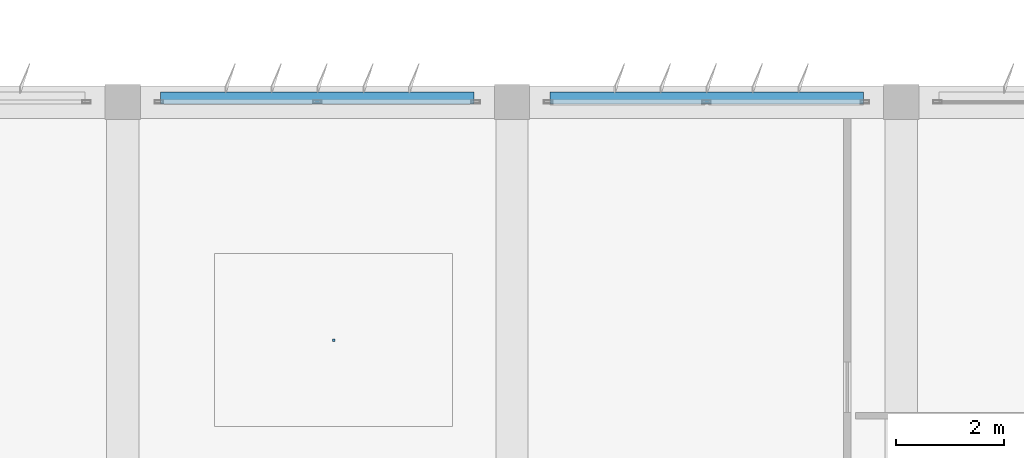
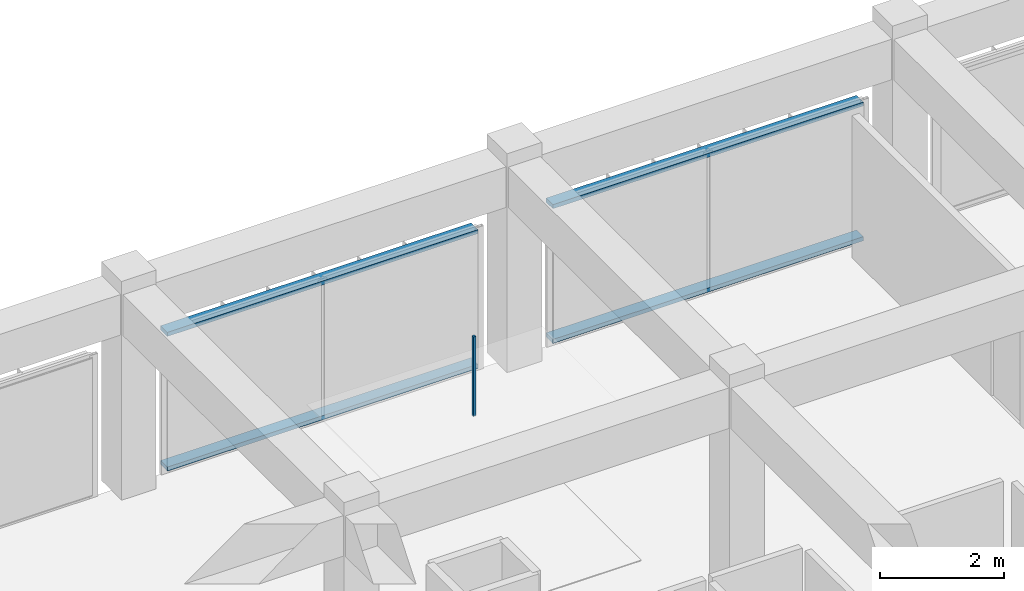
# One storey, part 42 of 53: 5 discrete accessories.
"""IFC4 building model written with IfcOpenShell, lengths in metres."""

import ifcopenshell
import ifcopenshell.guid

model = None  # the IFC model being written
_history = None  # IfcOwnerHistory: only IFC2X3 demands one
_inside = {}  # id of a spatial element -> (the spatial element, [elements in it])
_under = {}  # id of a project, library or spatial element -> (it, [spatial elements below it])
_declared = {}  # id of a project -> (the project, [libraries it declares])
_typed = {}  # id of a type object -> (the type object, [elements of that type])
_made_of = {}  # id of a material, layer set ... -> (it, [elements and type objects made of it])


def new_model(schema):
    """Start an empty IFC model of exactly this schema.

    Asked for "IFC4X3", IfcOpenShell would pick the latest addendum, in which some entities
    have other attributes; the version numbers below select the first issue.
    IFC2X3 requires an IfcOwnerHistory on every rooted entity: one is made here for all.
    """
    global model, _history
    if schema == "IFC4X3":
        model = ifcopenshell.file(schema_version=(4, 3, 0, 0))
    else:
        model = ifcopenshell.file(schema=schema)
    _inside.clear()
    _under.clear()
    _declared.clear()
    _typed.clear()
    _made_of.clear()
    _history = None
    if model.schema == "IFC2X3":
        org = make("IfcOrganization", Name="unknown")
        user = make(
            "IfcPersonAndOrganization",
            ThePerson=make("IfcPerson", FamilyName="unknown"),
            TheOrganization=org,
        )
        app = make(
            "IfcApplication",
            ApplicationDeveloper=org,
            Version="unknown",
            ApplicationFullName="unknown",
            ApplicationIdentifier="unknown",
        )
        _history = make(
            "IfcOwnerHistory",
            OwningUser=user,
            OwningApplication=app,
            ChangeAction="ADDED",
            CreationDate=0,
        )
    return model


def make(cls, **values):
    """One entity of the class cls with the attributes given. An attribute that is None is left unset."""
    return model.create_entity(
        cls, **{name: value for name, value in values.items() if value is not None}
    )


def rooted(cls, **values):
    """An entity with a GlobalId (a new one), such as an element, a storey or a relation."""
    return make(cls, GlobalId=ifcopenshell.guid.new(), OwnerHistory=_history, **values)


def si_unit(unit_type, name, prefix=None):
    """IfcSIUnit, for example si_unit("LENGTHUNIT", "METRE", prefix="MILLI")."""
    return make("IfcSIUnit", UnitType=unit_type, Prefix=prefix, Name=name)


def assignment(units):
    """IfcUnitAssignment: the units of a project."""
    return None if units is None else make("IfcUnitAssignment", Units=units)


def point(xyz):
    """IfcCartesianPoint."""
    return None if xyz is None else make("IfcCartesianPoint", Coordinates=xyz)


def direction(xyz):
    """IfcDirection."""
    return None if xyz is None else make("IfcDirection", DirectionRatios=xyz)


def frame(location, z_axis=None, x_axis=None):
    """IfcAxis2Placement3D, a coordinate frame: its origin and axes. An axis left out is left unset."""
    return make(
        "IfcAxis2Placement3D",
        Location=point(location),
        Axis=direction(z_axis),
        RefDirection=direction(x_axis),
    )


def frame_2d(location, x_axis=None):
    """IfcAxis2Placement2D, a coordinate frame in the plane: its origin and x axis."""
    return make(
        "IfcAxis2Placement2D", Location=point(location), RefDirection=direction(x_axis)
    )


def origin():
    """The frame at (0, 0, 0) with its axes left unset."""
    return frame((0.0, 0.0, 0.0))


def origin_2d():
    """The frame at (0, 0) in the plane with its x axis left unset."""
    return frame_2d((0.0, 0.0))


def place(relative_to, where):
    """IfcLocalPlacement: puts the frame where relative to a parent placement (None: the world)."""
    return make(
        "IfcLocalPlacement", PlacementRelTo=relative_to, RelativePlacement=where
    )


def context(
    kind, dimensions, precision=None, world=None, true_north=None, identifier=None
):
    """IfcGeometricRepresentationContext, for example the 3D "Model" context."""
    return make(
        "IfcGeometricRepresentationContext",
        ContextIdentifier=identifier,
        ContextType=kind,
        CoordinateSpaceDimension=dimensions,
        Precision=precision,
        WorldCoordinateSystem=world,
        TrueNorth=true_north,
    )


def subcontext(parent, identifier, kind, view, scale=None):
    """IfcGeometricRepresentationSubContext, for example "Body" below "Model"."""
    return make(
        "IfcGeometricRepresentationSubContext",
        ContextIdentifier=identifier,
        ContextType=kind,
        ParentContext=parent,
        TargetScale=scale,
        TargetView=view,
    )


def project(units=None, contexts=None):
    """IfcProject with its units and contexts."""
    return rooted(
        "IfcProject",
        Name="project",
        RepresentationContexts=contexts,
        UnitsInContext=assignment(units),
    )


def spatial(cls, under=None, at=None, **own):
    """A site, building, storey or space (cls), placed at a placement, below another one or the project."""
    s = rooted(cls, ObjectPlacement=at, **own)
    if under is not None:
        _under.setdefault(under.id(), (under, []))[1].append(s)
    return s


def profile(cls, at=None, kind="AREA", **sizes):
    """A parametric profile (cls). Its sizes go by their IFC names, for example OverallWidth=200.0."""
    return make(cls, ProfileType=kind, Position=at, **sizes)


def rectangle(**sizes):
    """IfcRectangleProfileDef."""
    return profile("IfcRectangleProfileDef", **sizes)


def extrude(swept, where, along, depth):
    """IfcExtrudedAreaSolid: the profile swept, set in the frame where, extruded along a direction by depth."""
    return make(
        "IfcExtrudedAreaSolid",
        SweptArea=swept,
        Position=where,
        ExtrudedDirection=direction(along),
        Depth=depth,
    )


def shape(context_of_items, identifier, shape_type, items):
    """IfcShapeRepresentation: the items that make up one representation, for example the "Body"."""
    return make(
        "IfcShapeRepresentation",
        ContextOfItems=context_of_items,
        RepresentationIdentifier=identifier,
        RepresentationType=shape_type,
        Items=items,
    )


def material(Name=None, Category=None):
    """IfcMaterial."""
    return make("IfcMaterial", Name=Name, Category=Category)


def made_of(thing, what):
    """Note that an element or type object is made of a material, layer set ...; save() writes the relation."""
    if what is not None:
        _made_of.setdefault(what.id(), (what, []))[1].append(thing)
    return thing


def type_object(cls, material=None, **own):
    """A type object (cls), such as IfcWallType, which elements share."""
    return made_of(rooted(cls, **own), material)


def element(
    cls,
    number,
    at=None,
    inside=None,
    cuts=None,
    type_object=None,
    material=None,
    context=None,
    identifier="Body",
    shape_type=None,
    held_by="IfcProductDefinitionShape",
    body=None,
    shapes=None,
    **own,
):
    """One element of the class cls, such as IfcWall. Its Tag is "e" and its number.

    at: its placement. inside: the storey or other place that contains it. cuts: it is an
    opening in that element (IfcRelVoidsElement). A single representation is given by context,
    identifier, shape_type and body (its items); several are given by shapes. held_by: the class
    of the entity that holds the representations. save() writes the other relations.
    """
    e = rooted(cls, Tag="e%d" % number, ObjectPlacement=at, **own)
    if body is not None:
        shapes = [shape(context, identifier, shape_type, body)]
    if shapes is not None:
        e.Representation = make(held_by, Representations=shapes)
    if inside is not None:
        _inside.setdefault(inside.id(), (inside, []))[1].append(e)
    if cuts is not None:
        rooted(
            "IfcRelVoidsElement", RelatingBuildingElement=cuts, RelatedOpeningElement=e
        )
    if type_object is not None:
        _typed.setdefault(type_object.id(), (type_object, []))[1].append(e)
    return made_of(e, material)


def aggregate(whole, parts):
    """IfcRelAggregates: a whole, such as a stair, and the parts it consists of."""
    return rooted("IfcRelAggregates", RelatingObject=whole, RelatedObjects=parts)


def save(model, path):
    """Write the relations noted so far, then the file.

    IfcRelAggregates (storeys below a building ...), IfcRelContainedInSpatialStructure (elements
    in a storey), IfcRelDefinesByType, IfcRelAssociatesMaterial and IfcRelDeclares: one each for
    every whole, place, type object, material and project.
    """
    for whole, parts in _under.values():
        aggregate(whole, parts)
    for where, things in _inside.values():
        rooted(
            "IfcRelContainedInSpatialStructure",
            RelatedElements=things,
            RelatingStructure=where,
        )
    for kind, things in _typed.values():
        rooted("IfcRelDefinesByType", RelatedObjects=things, RelatingType=kind)
    for what, things in _made_of.values():
        rooted("IfcRelAssociatesMaterial", RelatedObjects=things, RelatingMaterial=what)
    for by, libraries in _declared.values():
        rooted("IfcRelDeclares", RelatingContext=by, RelatedDefinitions=libraries)
    model.write(path)


model = new_model("IFC4")

# Units and contexts
model_context = context("Model", 3, precision=1e-05, world=origin(), true_north=direction((0.0, 1.0)))
body_context = subcontext(model_context, "Body", "Model", "MODEL_VIEW")
ifc_project = project(units=[si_unit("LENGTHUNIT", "METRE"), si_unit("AREAUNIT", "SQUARE_METRE"), si_unit("VOLUMEUNIT", "CUBIC_METRE"), si_unit("PLANEANGLEUNIT", "RADIAN"), si_unit("MASSUNIT", "GRAM", prefix="KILO")], contexts=[model_context])

# Site, building, storey
site_placement = place(None, origin())
site = spatial("IfcSite", under=ifc_project, at=site_placement, CompositionType="ELEMENT")
building_placement = place(site_placement, origin())
building = spatial("IfcBuilding", under=site, at=building_placement, Name="Kazehaya Institute of Natural Sciences", CompositionType="ELEMENT")
storey_placement = place(building_placement, frame((0.0, 0.0, 33.300048828125)))
storey = spatial("IfcBuildingStorey", under=building, at=storey_placement, Name="L07", CompositionType="ELEMENT", Elevation=33.300048828125)

# Discrete accessories
ifc_material_1 = material(Name="Aluminium alloy A6063S-T5", Category="aluminium")
discrete_accessory_type_1 = type_object("IfcDiscreteAccessoryType", Name="ACC-BRK-01", PredefinedType="BRACKET", material=ifc_material_1)
for number, where, z_axis, x_axis, name in (
    (1, (87.0, 35.675048828125, 0.039794921875), (0.0, 0.0, 1.0), (1.0, 0.0, 0.0), "L07 fin support outrigger rail 1"),
    (2, (87.0, 35.675048828125, 2.699951171875), (0.0, 0.0, 1.0), (1.0, 0.0, 0.0), "L07 fin support outrigger rail 2"),
    (3, (94.199951171875, 35.675048828125, 0.039794921875), (0.0, 0.0, 1.0), (1.0, 0.0, 0.0), "L07 fin support outrigger rail 1"),
    (4, (94.199951171875, 35.675048828125, 2.699951171875), (0.0, 0.0, 1.0), (1.0, 0.0, 0.0), "L07 fin support outrigger rail 2"),
):
    element("IfcDiscreteAccessory", number, at=place(storey_placement, frame(where, z_axis=z_axis, x_axis=x_axis)), inside=storey, type_object=discrete_accessory_type_1, Name=name, PredefinedType="BRACKET", context=body_context, shape_type="SweptSolid", body=[
        extrude(rectangle(XDim=5.800048828125, YDim=0.219970703125, at=origin_2d()), origin(), (0.0, 0.0, 1.0), 0.080078125),
    ])
ifc_material_2 = material(Name="Structural steel SN490B", Category="steel")
discrete_accessory_type_2 = type_object("IfcDiscreteAccessoryType", Name="ACC-CLG-HGR", PredefinedType="BRACKET", material=ifc_material_2)
discrete_accessory_placement = place(storey_placement, frame((87.302001953125, 31.19580078125, 2.67236328125), z_axis=(0.0, 0.0, 1.0), x_axis=(1.0, 0.0, 0.0)))
element("IfcDiscreteAccessory", 5, at=discrete_accessory_placement, inside=storey, type_object=discrete_accessory_type_2, Name="L07 ceiling suspension hanger 67", PredefinedType="BRACKET", context=body_context, shape_type="SweptSolid", body=[
    extrude(rectangle(XDim=0.050048828125, YDim=0.050048828125, at=origin_2d()), origin(), (0.0, 0.0, 1.0), 1.5673828125),
])

save(model, "model.ifc")
